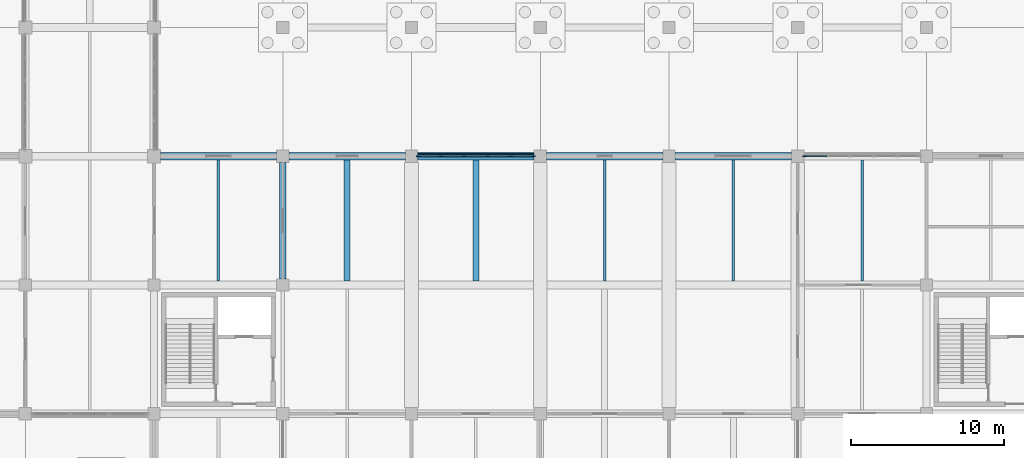
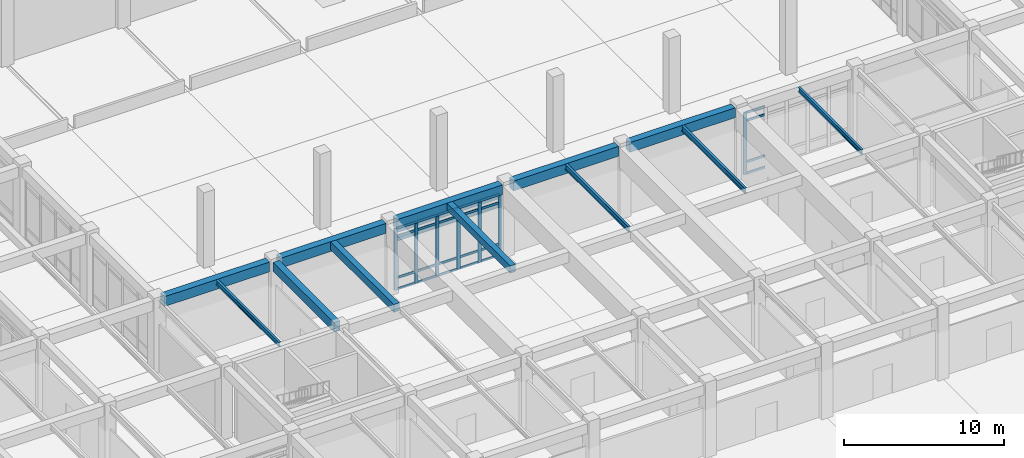
# One storey, part 25 of 91: 33 members, 12 beams, 2 elements without a shape of their own.
"""IFC4 building model written with IfcOpenShell, lengths in metres."""

from ifc_helpers import new_model, si_unit, direction, frame, origin, origin_2d, place, context, subcontext, project, spatial, rectangle, i_section, extrude, material, layer, layer_set, material_profile, profile_set, type_object, element, aggregate, save


model = new_model("IFC4")

# Units and contexts
model_context = context("Model", 3, precision=1e-05, world=origin(), true_north=direction((0.0, 1.0)))
body_context = subcontext(model_context, "Body", "Model", "MODEL_VIEW")
ifc_project = project(units=[si_unit("LENGTHUNIT", "METRE"), si_unit("AREAUNIT", "SQUARE_METRE"), si_unit("VOLUMEUNIT", "CUBIC_METRE"), si_unit("PLANEANGLEUNIT", "RADIAN"), si_unit("MASSUNIT", "GRAM", prefix="KILO")], contexts=[model_context])

# Site, building, storey
site_placement = place(None, origin())
site = spatial("IfcSite", under=ifc_project, at=site_placement, CompositionType="ELEMENT")
building_placement = place(site_placement, origin())
building = spatial("IfcBuilding", under=site, at=building_placement, Name="Porcellanite Civic Hall", CompositionType="ELEMENT")
storey_placement = place(building_placement, origin())
storey = spatial("IfcBuildingStorey", under=building, at=storey_placement, Name="L00", CompositionType="ELEMENT", Elevation=0.0)

# Beams
ifc_material_1 = material(Name="Concrete N50 (50 MPa)", Category="concrete")
ifc_material_profile_1 = material_profile(ifc_material_1, rectangle(XDim=0.39990234375, YDim=0.550048828125, at=origin_2d()), Name="RC-400x550")
ifc_profile_set_1 = profile_set([ifc_material_profile_1], Name="Concrete N50 (50 MPa)")
beam_type_1 = type_object("IfcBeamType", Name="BM-RC550", PredefinedType="JOIST", material=ifc_profile_set_1)
beam_1_placement = place(storey_placement, frame((79.800048828125, 59.049560546875, 5.22509765625), z_axis=(0.0, 1.0, 0.0), x_axis=(-1.0, 0.0, 0.0)))
element("IfcBeam", 1, at=beam_1_placement, inside=storey, type_object=beam_type_1, Name="Secondary joist L00 10-8", PredefinedType="JOIST", context=body_context, shape_type="SweptSolid", body=[
    extrude(rectangle(XDim=0.39990234375, YDim=0.550048828125, at=origin_2d()), origin(), (0.0, 0.0, 1.0), 7.90087890625),
])
ifc_material_2 = material(Name="Concrete N50 (50 MPa)", Category="concrete")
ifc_material_profile_2 = material_profile(ifc_material_2, rectangle(XDim=0.39990234375, YDim=0.60009765625, at=origin_2d()), Name="RC-400x600")
ifc_profile_set_2 = profile_set([ifc_material_profile_2], Name="Concrete N50 (50 MPa)")
beam_type_2 = type_object("IfcBeamType", Name="BM-RC600", PredefinedType="JOIST", material=ifc_profile_set_2)
beam_2_placement = place(storey_placement, frame((71.39990234375, 59.049560546875, 5.199951171875), z_axis=(0.0, 1.0, 0.0), x_axis=(-1.0, 0.0, 0.0)))
element("IfcBeam", 2, at=beam_2_placement, inside=storey, type_object=beam_type_2, Name="Secondary joist L00 9-8", PredefinedType="JOIST", context=body_context, shape_type="SweptSolid", body=[
    extrude(rectangle(XDim=0.39990234375, YDim=0.60009765625, at=origin_2d()), origin(), (0.0, 0.0, 1.0), 7.90087890625),
])
ifc_material_3 = material(Name="Concrete N50 (50 MPa)", Category="concrete")
ifc_material_profile_3 = material_profile(ifc_material_3, rectangle(XDim=0.449951171875, YDim=0.699951171875, at=origin_2d()), Name="RC-450x700")
ifc_profile_set_3 = profile_set([ifc_material_profile_3], Name="Concrete N50 (50 MPa)")
beam_type_3 = type_object("IfcBeamType", Name="BM-RC700", PredefinedType="BEAM", material=ifc_profile_set_3)
beam_3_placement = place(storey_placement, frame((67.199951171875, 59.199462890625, 5.14990234375), z_axis=(0.0, 1.0, 0.0), x_axis=(-1.0, 0.0, 0.0)))
element("IfcBeam", 3, at=beam_3_placement, inside=storey, type_object=beam_type_3, Name="Beam Y L00 9-8", PredefinedType="BEAM", context=body_context, shape_type="SweptSolid", body=[
    extrude(rectangle(XDim=0.449951171875, YDim=0.699951171875, at=origin_2d()), origin(), (0.0, 0.0, 1.0), 7.60107421875),
])
ifc_material_4 = material(Name="Concrete N50 (50 MPa)", Category="concrete")
ifc_material_profile_4 = material_profile(ifc_material_4, rectangle(XDim=0.5, YDim=0.75, at=origin_2d()), Name="RC-500x750")
ifc_profile_set_4 = profile_set([ifc_material_profile_4], Name="Concrete N50 (50 MPa)")
beam_type_4 = type_object("IfcBeamType", Name="BM-RC750", PredefinedType="SPANDREL", material=ifc_profile_set_4)
beam_4_placement = place(storey_placement, frame((59.224609375, 67.199951171875, 5.125), z_axis=(1.0, 0.0, 0.0), x_axis=(0.0, 1.0, 0.0)))
element("IfcBeam", 4, at=beam_4_placement, inside=storey, type_object=beam_type_4, Name="Beam X L00 8-9", PredefinedType="SPANDREL", context=body_context, shape_type="SweptSolid", body=[
    extrude(rectangle(XDim=0.5, YDim=0.75, at=origin_2d()), origin(), (0.0, 0.0, 1.0), 7.575927734375),
])
beam_5_placement = place(storey_placement, frame((67.599609375, 67.199951171875, 5.125), z_axis=(1.0, 0.0, 0.0), x_axis=(0.0, 1.0, 0.0)))
element("IfcBeam", 5, at=beam_5_placement, inside=storey, type_object=beam_type_4, Name="Beam X L00 9-9", PredefinedType="SPANDREL", context=body_context, shape_type="SweptSolid", body=[
    extrude(rectangle(XDim=0.5, YDim=0.75, at=origin_2d()), origin(), (0.0, 0.0, 1.0), 7.600830078125),
])
for number, where, z_axis, x_axis, name in (
    (6, (75.99951171875, 67.199951171875, 5.125), (1.0, 0.0, 0.0), (0.0, 1.0, 0.0), "Beam X L00 10-9"),
    (7, (84.3994140625, 67.199951171875, 5.125), (1.0, 0.0, 0.0), (0.0, 1.0, 0.0), "Beam X L00 11-9"),
):
    element("IfcBeam", number, at=place(storey_placement, frame(where, z_axis=z_axis, x_axis=x_axis)), inside=storey, type_object=beam_type_4, Name=name, PredefinedType="SPANDREL", context=body_context, shape_type="SweptSolid", body=[
        extrude(rectangle(XDim=0.5, YDim=0.75, at=origin_2d()), origin(), (0.0, 0.0, 1.0), 7.60107421875),
    ])
beam_6_placement = place(storey_placement, frame((92.799560546875, 67.199951171875, 5.125), z_axis=(1.0, 0.0, 0.0), x_axis=(0.0, 1.0, 0.0)))
element("IfcBeam", 8, at=beam_6_placement, inside=storey, type_object=beam_type_4, Name="Beam X L00 12-9", PredefinedType="SPANDREL", context=body_context, shape_type="SweptSolid", body=[
    extrude(rectangle(XDim=0.5, YDim=0.75, at=origin_2d()), origin(), (0.0, 0.0, 1.0), 7.600830078125),
])

# Curtain wall, members
ifc_material_5 = material(Name="Anodised aluminium and solar laminated glass", Category="aluminium")
ifc_layer = layer(ifc_material_5, 0.179931640625)
ifc_layer_set = layer_set([ifc_layer], Name="Anodised aluminium and solar laminated glass")
curtain_wall_type = type_object("IfcCurtainWallType", Name="CW-SYS01", PredefinedType="NOTDEFINED", material=ifc_layer_set)
curtain_wall_1_placement = place(storey_placement, origin())
curtain_wall_1 = element("IfcCurtainWall", 9, at=curtain_wall_1_placement, inside=storey, type_object=curtain_wall_type, Name="Curtain wall CW-029", PredefinedType="NOTDEFINED")
ifc_material_6 = material(Name="Anodised aluminium 6063-T6", Category="aluminium")
ifc_material_profile_5 = material_profile(ifc_material_6, rectangle(XDim=0.080078125, YDim=0.239990234375, at=origin_2d()), Name="AL-80x240")
ifc_profile_set_5 = profile_set([ifc_material_profile_5], Name="Anodised aluminium 6063-T6")
member_type_1 = type_object("IfcMemberType", Name="CWM-01", PredefinedType="MULLION", material=ifc_profile_set_5)
member_1_placement = place(storey_placement, frame((76.041015625, 67.199951171875, 0.0), z_axis=(0.0, 0.0, 1.0), x_axis=(0.0, 1.0, 0.0)))
member_1 = element("IfcMember", 10, at=member_1_placement, type_object=member_type_1, Name="CW-029 mullion 1", PredefinedType="MULLION", context=body_context, shape_type="SweptSolid", body=[
    extrude(rectangle(XDim=0.080078125, YDim=0.239990234375, at=origin_2d()), origin(), (0.0, 0.0, 1.0), 4.699951171875),
])
member_2_placement = place(storey_placement, frame((77.5205078125, 67.199951171875, 0.0), z_axis=(0.0, 0.0, 1.0), x_axis=(0.0, 1.0, 0.0)))
member_2 = element("IfcMember", 11, at=member_2_placement, type_object=member_type_1, Name="CW-029 mullion 2", PredefinedType="MULLION", context=body_context, shape_type="SweptSolid", body=[
    extrude(rectangle(XDim=0.080078125, YDim=0.239990234375, at=origin_2d()), origin(), (0.0, 0.0, 1.0), 4.699951171875),
])
member_3_placement = place(storey_placement, frame((79.040283203125, 67.199951171875, 0.0), z_axis=(0.0, 0.0, 1.0), x_axis=(0.0, 1.0, 0.0)))
member_3 = element("IfcMember", 12, at=member_3_placement, type_object=member_type_1, Name="CW-029 mullion 3", PredefinedType="MULLION", context=body_context, shape_type="SweptSolid", body=[
    extrude(rectangle(XDim=0.080078125, YDim=0.239990234375, at=origin_2d()), origin(), (0.0, 0.0, 1.0), 4.699951171875),
])
member_4_placement = place(storey_placement, frame((80.559814453125, 67.199951171875, 0.0), z_axis=(0.0, 0.0, 1.0), x_axis=(0.0, 1.0, 0.0)))
member_4 = element("IfcMember", 13, at=member_4_placement, type_object=member_type_1, Name="CW-029 mullion 4", PredefinedType="MULLION", context=body_context, shape_type="SweptSolid", body=[
    extrude(rectangle(XDim=0.080078125, YDim=0.239990234375, at=origin_2d()), origin(), (0.0, 0.0, 1.0), 4.699951171875),
])
member_5_placement = place(storey_placement, frame((82.079345703125, 67.199951171875, 0.0), z_axis=(0.0, 0.0, 1.0), x_axis=(0.0, 1.0, 0.0)))
member_5 = element("IfcMember", 14, at=member_5_placement, type_object=member_type_1, Name="CW-029 mullion 5", PredefinedType="MULLION", context=body_context, shape_type="SweptSolid", body=[
    extrude(rectangle(XDim=0.080078125, YDim=0.239990234375, at=origin_2d()), origin(), (0.0, 0.0, 1.0), 4.699951171875),
])
member_6_placement = place(storey_placement, frame((83.55908203125, 67.199951171875, 0.0), z_axis=(0.0, 0.0, 1.0), x_axis=(0.0, 1.0, 0.0)))
member_6 = element("IfcMember", 15, at=member_6_placement, type_object=member_type_1, Name="CW-029 mullion 6", PredefinedType="MULLION", context=body_context, shape_type="SweptSolid", body=[
    extrude(rectangle(XDim=0.080078125, YDim=0.239990234375, at=origin_2d()), origin(), (0.0, 0.0, 1.0), 4.699951171875),
])

# Curtain wall, member
curtain_wall_2_placement = place(storey_placement, origin())
curtain_wall_2 = element("IfcCurtainWall", 16, at=curtain_wall_2_placement, inside=storey, type_object=curtain_wall_type, Name="Curtain wall CW-034", PredefinedType="NOTDEFINED")
member_7_placement = place(storey_placement, frame((101.240966796875, 67.199951171875, 0.0), z_axis=(0.0, 0.0, 1.0), x_axis=(0.0, 1.0, 0.0)))
member_7 = element("IfcMember", 17, at=member_7_placement, type_object=member_type_1, Name="CW-034 mullion 1", PredefinedType="MULLION", context=body_context, shape_type="SweptSolid", body=[
    extrude(rectangle(XDim=0.080078125, YDim=0.239990234375, at=origin_2d()), origin(), (0.0, 0.0, 1.0), 4.699951171875),
])

# Member
ifc_material_7 = material(Name="Anodised aluminium 6063-T6", Category="aluminium")
ifc_material_profile_6 = material_profile(ifc_material_7, rectangle(XDim=0.070068359375, YDim=0.175048828125, at=origin_2d()), Name="AL-70x175")
ifc_profile_set_6 = profile_set([ifc_material_profile_6], Name="Anodised aluminium 6063-T6")
member_type_2 = type_object("IfcMemberType", Name="CWT-01", PredefinedType="USERDEFINED", material=ifc_profile_set_6)
member_8_placement = place(storey_placement, frame((76.0810546875, 67.199951171875, 0.034912109375), z_axis=(1.0, 0.0, 0.0), x_axis=(0.0, 1.0, 0.0)))
member_8 = element("IfcMember", 18, at=member_8_placement, type_object=member_type_2, Name="CW-029 transom 1.1", ObjectType="TRANSOM", PredefinedType="USERDEFINED", context=body_context, shape_type="SweptSolid", body=[
    extrude(rectangle(XDim=0.070068359375, YDim=0.175048828125, at=origin_2d()), origin(), (0.0, 0.0, 1.0), 1.399658203125),
])

member_9_placement = place(storey_placement, frame((76.0810546875, 67.199951171875, 0.89990234375), z_axis=(1.0, 0.0, 0.0), x_axis=(0.0, 1.0, 0.0)))
member_9 = element("IfcMember", 19, at=member_9_placement, type_object=member_type_2, Name="CW-029 transom 1.2", ObjectType="TRANSOM", PredefinedType="USERDEFINED", context=body_context, shape_type="SweptSolid", body=[
    extrude(rectangle(XDim=0.070068359375, YDim=0.175048828125, at=origin_2d()), origin(), (0.0, 0.0, 1.0), 1.399658203125),
])

member_10_placement = place(storey_placement, frame((76.0810546875, 67.199951171875, 4.050048828125), z_axis=(1.0, 0.0, 0.0), x_axis=(0.0, 1.0, 0.0)))
member_10 = element("IfcMember", 20, at=member_10_placement, type_object=member_type_2, Name="CW-029 transom 1.3", ObjectType="TRANSOM", PredefinedType="USERDEFINED", context=body_context, shape_type="SweptSolid", body=[
    extrude(rectangle(XDim=0.070068359375, YDim=0.175048828125, at=origin_2d()), origin(), (0.0, 0.0, 1.0), 1.399658203125),
])

member_11_placement = place(storey_placement, frame((76.0810546875, 67.199951171875, 4.6650390625), z_axis=(1.0, 0.0, 0.0), x_axis=(0.0, 1.0, 0.0)))
member_11 = element("IfcMember", 21, at=member_11_placement, type_object=member_type_2, Name="CW-029 transom 1.4", ObjectType="TRANSOM", PredefinedType="USERDEFINED", context=body_context, shape_type="SweptSolid", body=[
    extrude(rectangle(XDim=0.070068359375, YDim=0.175048828125, at=origin_2d()), origin(), (0.0, 0.0, 1.0), 1.399658203125),
])

member_12_placement = place(storey_placement, frame((77.560546875, 67.199951171875, 0.034912109375), z_axis=(1.0, 0.0, 0.0), x_axis=(0.0, 1.0, 0.0)))
member_12 = element("IfcMember", 22, at=member_12_placement, type_object=member_type_2, Name="CW-029 transom 2.1", ObjectType="TRANSOM", PredefinedType="USERDEFINED", context=body_context, shape_type="SweptSolid", body=[
    extrude(rectangle(XDim=0.070068359375, YDim=0.175048828125, at=origin_2d()), origin(), (0.0, 0.0, 1.0), 1.439697265625),
])

member_13_placement = place(storey_placement, frame((77.560546875, 67.199951171875, 0.89990234375), z_axis=(1.0, 0.0, 0.0), x_axis=(0.0, 1.0, 0.0)))
member_13 = element("IfcMember", 23, at=member_13_placement, type_object=member_type_2, Name="CW-029 transom 2.2", ObjectType="TRANSOM", PredefinedType="USERDEFINED", context=body_context, shape_type="SweptSolid", body=[
    extrude(rectangle(XDim=0.070068359375, YDim=0.175048828125, at=origin_2d()), origin(), (0.0, 0.0, 1.0), 1.439697265625),
])

member_14_placement = place(storey_placement, frame((77.560546875, 67.199951171875, 4.050048828125), z_axis=(1.0, 0.0, 0.0), x_axis=(0.0, 1.0, 0.0)))
member_14 = element("IfcMember", 24, at=member_14_placement, type_object=member_type_2, Name="CW-029 transom 2.3", ObjectType="TRANSOM", PredefinedType="USERDEFINED", context=body_context, shape_type="SweptSolid", body=[
    extrude(rectangle(XDim=0.070068359375, YDim=0.175048828125, at=origin_2d()), origin(), (0.0, 0.0, 1.0), 1.439697265625),
])

member_15_placement = place(storey_placement, frame((77.560546875, 67.199951171875, 4.6650390625), z_axis=(1.0, 0.0, 0.0), x_axis=(0.0, 1.0, 0.0)))
member_15 = element("IfcMember", 25, at=member_15_placement, type_object=member_type_2, Name="CW-029 transom 2.4", ObjectType="TRANSOM", PredefinedType="USERDEFINED", context=body_context, shape_type="SweptSolid", body=[
    extrude(rectangle(XDim=0.070068359375, YDim=0.175048828125, at=origin_2d()), origin(), (0.0, 0.0, 1.0), 1.439697265625),
])

member_16_placement = place(storey_placement, frame((79.080078125, 67.199951171875, 0.034912109375), z_axis=(1.0, 0.0, 0.0), x_axis=(0.0, 1.0, 0.0)))
member_16 = element("IfcMember", 26, at=member_16_placement, type_object=member_type_2, Name="CW-029 transom 3.1", ObjectType="TRANSOM", PredefinedType="USERDEFINED", context=body_context, shape_type="SweptSolid", body=[
    extrude(rectangle(XDim=0.070068359375, YDim=0.175048828125, at=origin_2d()), origin(), (0.0, 0.0, 1.0), 1.439697265625),
])

member_17_placement = place(storey_placement, frame((79.080078125, 67.199951171875, 0.89990234375), z_axis=(1.0, 0.0, 0.0), x_axis=(0.0, 1.0, 0.0)))
member_17 = element("IfcMember", 27, at=member_17_placement, type_object=member_type_2, Name="CW-029 transom 3.2", ObjectType="TRANSOM", PredefinedType="USERDEFINED", context=body_context, shape_type="SweptSolid", body=[
    extrude(rectangle(XDim=0.070068359375, YDim=0.175048828125, at=origin_2d()), origin(), (0.0, 0.0, 1.0), 1.439697265625),
])

member_18_placement = place(storey_placement, frame((79.080078125, 67.199951171875, 4.050048828125), z_axis=(1.0, 0.0, 0.0), x_axis=(0.0, 1.0, 0.0)))
member_18 = element("IfcMember", 28, at=member_18_placement, type_object=member_type_2, Name="CW-029 transom 3.3", ObjectType="TRANSOM", PredefinedType="USERDEFINED", context=body_context, shape_type="SweptSolid", body=[
    extrude(rectangle(XDim=0.070068359375, YDim=0.175048828125, at=origin_2d()), origin(), (0.0, 0.0, 1.0), 1.439697265625),
])

member_19_placement = place(storey_placement, frame((79.080078125, 67.199951171875, 4.6650390625), z_axis=(1.0, 0.0, 0.0), x_axis=(0.0, 1.0, 0.0)))
member_19 = element("IfcMember", 29, at=member_19_placement, type_object=member_type_2, Name="CW-029 transom 3.4", ObjectType="TRANSOM", PredefinedType="USERDEFINED", context=body_context, shape_type="SweptSolid", body=[
    extrude(rectangle(XDim=0.070068359375, YDim=0.175048828125, at=origin_2d()), origin(), (0.0, 0.0, 1.0), 1.439697265625),
])

member_20_placement = place(storey_placement, frame((80.599853515625, 67.199951171875, 0.034912109375), z_axis=(1.0, 0.0, 0.0), x_axis=(0.0, 1.0, 0.0)))
member_20 = element("IfcMember", 30, at=member_20_placement, type_object=member_type_2, Name="CW-029 transom 4.1", ObjectType="TRANSOM", PredefinedType="USERDEFINED", context=body_context, shape_type="SweptSolid", body=[
    extrude(rectangle(XDim=0.070068359375, YDim=0.175048828125, at=origin_2d()), origin(), (0.0, 0.0, 1.0), 1.439453125),
])

member_21_placement = place(storey_placement, frame((80.599853515625, 67.199951171875, 0.89990234375), z_axis=(1.0, 0.0, 0.0), x_axis=(0.0, 1.0, 0.0)))
member_21 = element("IfcMember", 31, at=member_21_placement, type_object=member_type_2, Name="CW-029 transom 4.2", ObjectType="TRANSOM", PredefinedType="USERDEFINED", context=body_context, shape_type="SweptSolid", body=[
    extrude(rectangle(XDim=0.070068359375, YDim=0.175048828125, at=origin_2d()), origin(), (0.0, 0.0, 1.0), 1.439453125),
])

member_22_placement = place(storey_placement, frame((80.599853515625, 67.199951171875, 4.050048828125), z_axis=(1.0, 0.0, 0.0), x_axis=(0.0, 1.0, 0.0)))
member_22 = element("IfcMember", 32, at=member_22_placement, type_object=member_type_2, Name="CW-029 transom 4.3", ObjectType="TRANSOM", PredefinedType="USERDEFINED", context=body_context, shape_type="SweptSolid", body=[
    extrude(rectangle(XDim=0.070068359375, YDim=0.175048828125, at=origin_2d()), origin(), (0.0, 0.0, 1.0), 1.439453125),
])

member_23_placement = place(storey_placement, frame((80.599853515625, 67.199951171875, 4.6650390625), z_axis=(1.0, 0.0, 0.0), x_axis=(0.0, 1.0, 0.0)))
member_23 = element("IfcMember", 33, at=member_23_placement, type_object=member_type_2, Name="CW-029 transom 4.4", ObjectType="TRANSOM", PredefinedType="USERDEFINED", context=body_context, shape_type="SweptSolid", body=[
    extrude(rectangle(XDim=0.070068359375, YDim=0.175048828125, at=origin_2d()), origin(), (0.0, 0.0, 1.0), 1.439453125),
])

member_24_placement = place(storey_placement, frame((82.119384765625, 67.199951171875, 0.034912109375), z_axis=(1.0, 0.0, 0.0), x_axis=(0.0, 1.0, 0.0)))
member_24 = element("IfcMember", 34, at=member_24_placement, type_object=member_type_2, Name="CW-029 transom 5.1", ObjectType="TRANSOM", PredefinedType="USERDEFINED", context=body_context, shape_type="SweptSolid", body=[
    extrude(rectangle(XDim=0.070068359375, YDim=0.175048828125, at=origin_2d()), origin(), (0.0, 0.0, 1.0), 1.399658203125),
])

member_25_placement = place(storey_placement, frame((82.119384765625, 67.199951171875, 0.89990234375), z_axis=(1.0, 0.0, 0.0), x_axis=(0.0, 1.0, 0.0)))
member_25 = element("IfcMember", 35, at=member_25_placement, type_object=member_type_2, Name="CW-029 transom 5.2", ObjectType="TRANSOM", PredefinedType="USERDEFINED", context=body_context, shape_type="SweptSolid", body=[
    extrude(rectangle(XDim=0.070068359375, YDim=0.175048828125, at=origin_2d()), origin(), (0.0, 0.0, 1.0), 1.399658203125),
])

member_26_placement = place(storey_placement, frame((82.119384765625, 67.199951171875, 4.050048828125), z_axis=(1.0, 0.0, 0.0), x_axis=(0.0, 1.0, 0.0)))
member_26 = element("IfcMember", 36, at=member_26_placement, type_object=member_type_2, Name="CW-029 transom 5.3", ObjectType="TRANSOM", PredefinedType="USERDEFINED", context=body_context, shape_type="SweptSolid", body=[
    extrude(rectangle(XDim=0.070068359375, YDim=0.175048828125, at=origin_2d()), origin(), (0.0, 0.0, 1.0), 1.399658203125),
])

member_27_placement = place(storey_placement, frame((82.119384765625, 67.199951171875, 4.6650390625), z_axis=(1.0, 0.0, 0.0), x_axis=(0.0, 1.0, 0.0)))
member_27 = element("IfcMember", 37, at=member_27_placement, type_object=member_type_2, Name="CW-029 transom 5.4", ObjectType="TRANSOM", PredefinedType="USERDEFINED", context=body_context, shape_type="SweptSolid", body=[
    extrude(rectangle(XDim=0.070068359375, YDim=0.175048828125, at=origin_2d()), origin(), (0.0, 0.0, 1.0), 1.399658203125),
])

aggregate(curtain_wall_1, [member_1, member_2, member_3, member_4, member_5, member_6, member_8, member_9, member_10, member_11, member_12, member_13, member_14, member_15, member_16, member_17, member_18, member_19, member_20, member_21, member_22, member_23, member_24, member_25, member_26, member_27])

member_28_placement = place(storey_placement, frame((101.281005859375, 67.199951171875, 0.034912109375), z_axis=(1.0, 0.0, 0.0), x_axis=(0.0, 1.0, 0.0)))
member_28 = element("IfcMember", 38, at=member_28_placement, type_object=member_type_2, Name="CW-034 transom 1.1", ObjectType="TRANSOM", PredefinedType="USERDEFINED", context=body_context, shape_type="SweptSolid", body=[
    extrude(rectangle(XDim=0.070068359375, YDim=0.175048828125, at=origin_2d()), origin(), (0.0, 0.0, 1.0), 1.399658203125),
])

member_29_placement = place(storey_placement, frame((101.281005859375, 67.199951171875, 0.89990234375), z_axis=(1.0, 0.0, 0.0), x_axis=(0.0, 1.0, 0.0)))
member_29 = element("IfcMember", 39, at=member_29_placement, type_object=member_type_2, Name="CW-034 transom 1.2", ObjectType="TRANSOM", PredefinedType="USERDEFINED", context=body_context, shape_type="SweptSolid", body=[
    extrude(rectangle(XDim=0.070068359375, YDim=0.175048828125, at=origin_2d()), origin(), (0.0, 0.0, 1.0), 1.399658203125),
])

member_30_placement = place(storey_placement, frame((101.281005859375, 67.199951171875, 4.050048828125), z_axis=(1.0, 0.0, 0.0), x_axis=(0.0, 1.0, 0.0)))
member_30 = element("IfcMember", 40, at=member_30_placement, type_object=member_type_2, Name="CW-034 transom 1.3", ObjectType="TRANSOM", PredefinedType="USERDEFINED", context=body_context, shape_type="SweptSolid", body=[
    extrude(rectangle(XDim=0.070068359375, YDim=0.175048828125, at=origin_2d()), origin(), (0.0, 0.0, 1.0), 1.399658203125),
])

member_31_placement = place(storey_placement, frame((101.281005859375, 67.199951171875, 4.6650390625), z_axis=(1.0, 0.0, 0.0), x_axis=(0.0, 1.0, 0.0)))
member_31 = element("IfcMember", 41, at=member_31_placement, type_object=member_type_2, Name="CW-034 transom 1.4", ObjectType="TRANSOM", PredefinedType="USERDEFINED", context=body_context, shape_type="SweptSolid", body=[
    extrude(rectangle(XDim=0.070068359375, YDim=0.175048828125, at=origin_2d()), origin(), (0.0, 0.0, 1.0), 1.399658203125),
])

aggregate(curtain_wall_2, [member_7, member_28, member_29, member_30, member_31])

# Beams
ifc_material_8 = material(Name="Steel Grade 350", Category="steel")
ifc_material_profile_7 = material_profile(ifc_material_8, i_section(OverallWidth=0.1708984375, OverallDepth=0.35595703125, WebThickness=0.00732421875, FlangeThickness=0.011474609375, FilletRadius=0.011474609375, at=origin_2d()), Name="360UB50.7")
ifc_profile_set_7 = profile_set([ifc_material_profile_7], Name="Steel Grade 350")
beam_type_5 = type_object("IfcBeamType", Name="JST-360UB51", PredefinedType="JOIST", material=ifc_profile_set_7)
beam_7_placement = place(storey_placement, frame((63.0, 59.049560546875, 5.322021484375), z_axis=(0.0, 1.0, 0.0), x_axis=(-1.0, 0.0, 0.0)))
element("IfcBeam", 42, at=beam_7_placement, inside=storey, type_object=beam_type_5, Name="Secondary joist L00 8-8", PredefinedType="JOIST", context=body_context, shape_type="SweptSolid", body=[
    extrude(i_section(OverallWidth=0.1708984375, OverallDepth=0.35595703125, WebThickness=0.00732421875, FlangeThickness=0.011474609375, FilletRadius=0.011474609375, at=origin_2d()), origin(), (0.0, 0.0, 1.0), 7.90087890625),
])
ifc_material_9 = material(Name="Steel Grade 350", Category="steel")
ifc_material_profile_8 = material_profile(ifc_material_9, i_section(OverallWidth=0.172119140625, OverallDepth=0.35888671875, WebThickness=0.008056640625, FlangeThickness=0.012939453125, FilletRadius=0.011474609375, at=origin_2d()), Name="360UB56.7")
ifc_profile_set_8 = profile_set([ifc_material_profile_8], Name="Steel Grade 350")
beam_type_6 = type_object("IfcBeamType", Name="JST-360UB57", PredefinedType="JOIST", material=ifc_profile_set_8)
beam_8_placement = place(storey_placement, frame((105.0, 59.049560546875, 5.320556640625), z_axis=(0.0, 1.0, 0.0), x_axis=(-1.0, 0.0, 0.0)))
element("IfcBeam", 43, at=beam_8_placement, inside=storey, type_object=beam_type_6, Name="Secondary joist L00 13-8", PredefinedType="JOIST", context=body_context, shape_type="SweptSolid", body=[
    extrude(i_section(OverallWidth=0.172119140625, OverallDepth=0.35888671875, WebThickness=0.008056640625, FlangeThickness=0.012939453125, FilletRadius=0.011474609375, at=origin_2d()), origin(), (0.0, 0.0, 1.0), 7.90087890625),
])
ifc_material_10 = material(Name="Steel Grade 350", Category="steel")
ifc_material_profile_9 = material_profile(ifc_material_10, i_section(OverallWidth=0.177978515625, OverallDepth=0.403076171875, WebThickness=0.007568359375, FlangeThickness=0.010986328125, FilletRadius=0.011474609375, at=origin_2d()), Name="410UB53.7")
ifc_profile_set_9 = profile_set([ifc_material_profile_9], Name="Steel Grade 350")
beam_type_7 = type_object("IfcBeamType", Name="JST-410UB54", PredefinedType="JOIST", material=ifc_profile_set_9)
beam_9_placement = place(storey_placement, frame((96.60009765625, 59.049560546875, 5.298583984375), z_axis=(0.0, 1.0, 0.0), x_axis=(-1.0, 0.0, 0.0)))
element("IfcBeam", 44, at=beam_9_placement, inside=storey, type_object=beam_type_7, Name="Secondary joist L00 12-8", PredefinedType="JOIST", context=body_context, shape_type="SweptSolid", body=[
    extrude(i_section(OverallWidth=0.177978515625, OverallDepth=0.403076171875, WebThickness=0.007568359375, FlangeThickness=0.010986328125, FilletRadius=0.011474609375, at=origin_2d()), origin(), (0.0, 0.0, 1.0), 7.90087890625),
])
ifc_material_11 = material(Name="Steel Grade 350", Category="steel")
ifc_material_profile_10 = material_profile(ifc_material_11, i_section(OverallWidth=0.177978515625, OverallDepth=0.406005859375, WebThickness=0.0078125, FlangeThickness=0.0126953125, FilletRadius=0.011474609375, at=origin_2d()), Name="410UB59.7")
ifc_profile_set_10 = profile_set([ifc_material_profile_10], Name="Steel Grade 350")
beam_type_8 = type_object("IfcBeamType", Name="JST-410UB60", PredefinedType="JOIST", material=ifc_profile_set_10)
beam_10_placement = place(storey_placement, frame((88.199951171875, 59.049560546875, 5.297119140625), z_axis=(0.0, 1.0, 0.0), x_axis=(-1.0, 0.0, 0.0)))
element("IfcBeam", 45, at=beam_10_placement, inside=storey, type_object=beam_type_8, Name="Secondary joist L00 11-8", PredefinedType="JOIST", context=body_context, shape_type="SweptSolid", body=[
    extrude(i_section(OverallWidth=0.177978515625, OverallDepth=0.406005859375, WebThickness=0.0078125, FlangeThickness=0.0126953125, FilletRadius=0.011474609375, at=origin_2d()), origin(), (0.0, 0.0, 1.0), 7.90087890625),
])

# Members
ifc_material_12 = material(Name="Fluoropolymer bauxite-red aluminium 6063-T6", Category="aluminium")
ifc_material_profile_11 = material_profile(ifc_material_12, rectangle(XDim=0.090087890625, YDim=0.360107421875, at=origin_2d()), Name="AL-90x360")
ifc_profile_set_11 = profile_set([ifc_material_profile_11], Name="Fluoropolymer bauxite-red aluminium 6063-T6")
member_type_3 = type_object("IfcMemberType", Name="LV-BLD01", PredefinedType="USERDEFINED", material=ifc_profile_set_11)
for number, where, z_axis, x_axis, name in (
    (46, (75.99951171875, 67.366943359375, 4.39990234375), (1.0, 0.0, 0.0), (0.0, 1.0, 0.0), "Cyclone sunshade louvre L00 N 9-7 1"),
    (47, (75.99951171875, 67.366943359375, 3.75), (1.0, 0.0, 0.0), (0.0, 1.0, 0.0), "Cyclone sunshade louvre L00 N 9-7 2"),
):
    element("IfcMember", number, at=place(storey_placement, frame(where, z_axis=z_axis, x_axis=x_axis)), inside=storey, type_object=member_type_3, Name=name, ObjectType="LOUVRE BLADE", PredefinedType="USERDEFINED", context=body_context, shape_type="SweptSolid", body=[
        extrude(rectangle(XDim=0.090087890625, YDim=0.360107421875, at=origin_2d()), origin(), (0.0, 0.0, 1.0), 7.60107421875),
    ])

save(model, "model.ifc")
